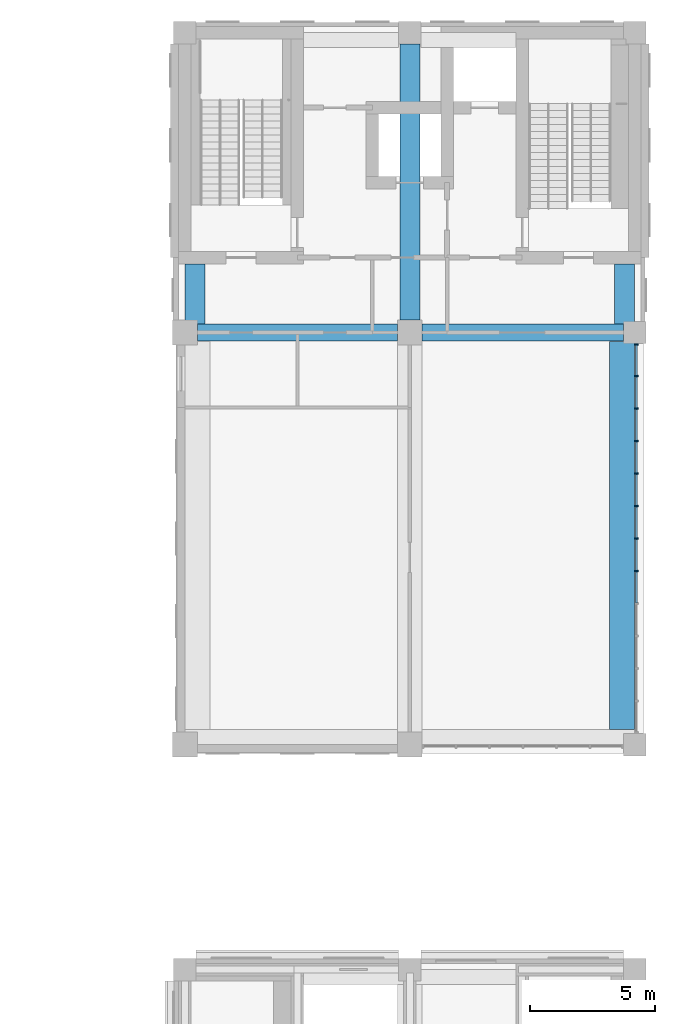
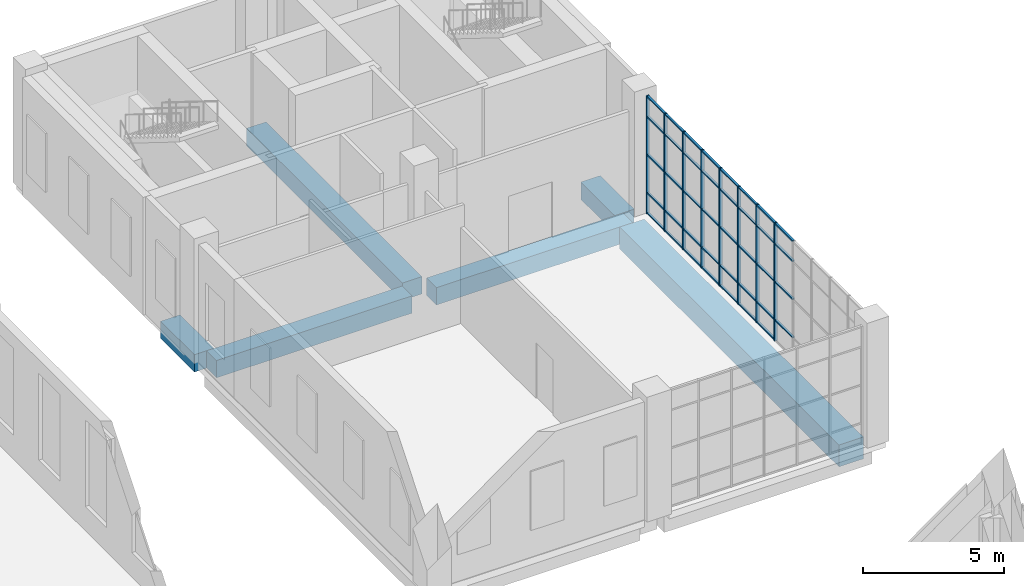
# One storey, part 19 of 52: 47 members, 6 beams, 1 element without a shape of its own.
"""IFC4 building model written with IfcOpenShell, lengths in metres."""

from ifc_helpers import new_model, si_unit, direction, frame, origin, origin_2d, place, context, subcontext, project, spatial, rectangle, extrude, material, layer, layer_set, material_profile, profile_set, type_object, element, aggregate, save


model = new_model("IFC4")

# Units and contexts
model_context = context("Model", 3, precision=1e-05, world=origin(), true_north=direction((0.0, 1.0)))
body_context = subcontext(model_context, "Body", "Model", "MODEL_VIEW")
ifc_project = project(units=[si_unit("LENGTHUNIT", "METRE"), si_unit("AREAUNIT", "SQUARE_METRE"), si_unit("VOLUMEUNIT", "CUBIC_METRE"), si_unit("PLANEANGLEUNIT", "RADIAN"), si_unit("MASSUNIT", "GRAM", prefix="KILO")], contexts=[model_context])

# Site, building, storey
site_placement = place(None, origin())
site = spatial("IfcSite", under=ifc_project, at=site_placement, CompositionType="ELEMENT")
building_placement = place(site_placement, origin())
building = spatial("IfcBuilding", under=site, at=building_placement, Name="Aurelan Courthouse", CompositionType="ELEMENT")
storey_placement = place(building_placement, frame((0.0, 0.0, 6.60009765625)))
storey = spatial("IfcBuildingStorey", under=building, at=storey_placement, Name="L01", CompositionType="ELEMENT", Elevation=6.60009765625)

# Curtain wall, members
ifc_material_1 = material(Name="Bronze-finished aluminium and glass", Category="aluminium")
ifc_layer = layer(ifc_material_1, 0.14990234375)
ifc_layer_set = layer_set([ifc_layer], Name="Bronze-finished aluminium and glass")
curtain_wall_type = type_object("IfcCurtainWallType", Name="Curtain wall 15600 x 5100", PredefinedType="NOTDEFINED", material=ifc_layer_set)
curtain_wall_placement = place(storey_placement, origin())
curtain_wall = element("IfcCurtainWall", 1, at=curtain_wall_placement, inside=storey, type_object=curtain_wall_type, Name="Curtain wall CW-V3-L01-E01", PredefinedType="NOTDEFINED")
ifc_material_2 = material(Name="Bronze-finished aluminium", Category="aluminium")
ifc_material_profile_1 = material_profile(ifc_material_2, rectangle(XDim=0.125, YDim=0.06005859375, at=origin_2d()), Name="Bronze mullion 60 x 125")
ifc_profile_set_1 = profile_set([ifc_material_profile_1], Name="Bronze-finished aluminium")
member_type_1 = type_object("IfcMemberType", Name="Curtain wall mullion 60 x 125", PredefinedType="MULLION", material=ifc_profile_set_1)
member_1_placement = place(storey_placement, frame((90.074951171875, 44.449951171875, 0.0), z_axis=(0.0, 0.0, 1.0), x_axis=(-1.0, 0.0, 0.0)))
member_1 = element("IfcMember", 2, at=member_1_placement, type_object=member_type_1, Name="CW-V3-L01-E01 mullion 6", PredefinedType="MULLION", context=body_context, shape_type="SweptSolid", body=[
    extrude(rectangle(XDim=0.125, YDim=0.06005859375, at=origin_2d()), origin(), (0.0, 0.0, 1.0), 5.099853515625),
])
member_2_placement = place(storey_placement, frame((90.074951171875, 45.75, 0.0), z_axis=(0.0, 0.0, 1.0), x_axis=(-1.0, 0.0, 0.0)))
member_2 = element("IfcMember", 3, at=member_2_placement, type_object=member_type_1, Name="CW-V3-L01-E01 mullion 7", PredefinedType="MULLION", context=body_context, shape_type="SweptSolid", body=[
    extrude(rectangle(XDim=0.125, YDim=0.06005859375, at=origin_2d()), origin(), (0.0, 0.0, 1.0), 5.099853515625),
])
member_3_placement = place(storey_placement, frame((90.074951171875, 47.050048828125, 0.0), z_axis=(0.0, 0.0, 1.0), x_axis=(-1.0, 0.0, 0.0)))
member_3 = element("IfcMember", 4, at=member_3_placement, type_object=member_type_1, Name="CW-V3-L01-E01 mullion 8", PredefinedType="MULLION", context=body_context, shape_type="SweptSolid", body=[
    extrude(rectangle(XDim=0.125, YDim=0.06005859375, at=origin_2d()), origin(), (0.0, 0.0, 1.0), 5.099853515625),
])
member_4_placement = place(storey_placement, frame((90.074951171875, 48.35009765625, 0.0), z_axis=(0.0, 0.0, 1.0), x_axis=(-1.0, 0.0, 0.0)))
member_4 = element("IfcMember", 5, at=member_4_placement, type_object=member_type_1, Name="CW-V3-L01-E01 mullion 9", PredefinedType="MULLION", context=body_context, shape_type="SweptSolid", body=[
    extrude(rectangle(XDim=0.125, YDim=0.06005859375, at=origin_2d()), origin(), (0.0, 0.0, 1.0), 5.099853515625),
])
member_5_placement = place(storey_placement, frame((90.074951171875, 49.64990234375, 0.0), z_axis=(0.0, 0.0, 1.0), x_axis=(-1.0, 0.0, 0.0)))
member_5 = element("IfcMember", 6, at=member_5_placement, type_object=member_type_1, Name="CW-V3-L01-E01 mullion 10", PredefinedType="MULLION", context=body_context, shape_type="SweptSolid", body=[
    extrude(rectangle(XDim=0.125, YDim=0.06005859375, at=origin_2d()), origin(), (0.0, 0.0, 1.0), 5.099853515625),
])
member_6_placement = place(storey_placement, frame((90.074951171875, 50.949951171875, 0.0), z_axis=(0.0, 0.0, 1.0), x_axis=(-1.0, 0.0, 0.0)))
member_6 = element("IfcMember", 7, at=member_6_placement, type_object=member_type_1, Name="CW-V3-L01-E01 mullion 11", PredefinedType="MULLION", context=body_context, shape_type="SweptSolid", body=[
    extrude(rectangle(XDim=0.125, YDim=0.06005859375, at=origin_2d()), origin(), (0.0, 0.0, 1.0), 5.099853515625),
])
member_7_placement = place(storey_placement, frame((90.074951171875, 52.25, 0.0), z_axis=(0.0, 0.0, 1.0), x_axis=(-1.0, 0.0, 0.0)))
member_7 = element("IfcMember", 8, at=member_7_placement, type_object=member_type_1, Name="CW-V3-L01-E01 mullion 12", PredefinedType="MULLION", context=body_context, shape_type="SweptSolid", body=[
    extrude(rectangle(XDim=0.125, YDim=0.06005859375, at=origin_2d()), origin(), (0.0, 0.0, 1.0), 5.099853515625),
])
member_8_placement = place(storey_placement, frame((90.074951171875, 53.52001953125, 0.0), z_axis=(0.0, 0.0, 1.0), x_axis=(-1.0, 0.0, 0.0)))
member_8 = element("IfcMember", 9, at=member_8_placement, type_object=member_type_1, Name="CW-V3-L01-E01 mullion 13", PredefinedType="MULLION", context=body_context, shape_type="SweptSolid", body=[
    extrude(rectangle(XDim=0.125, YDim=0.06005859375, at=origin_2d()), origin(), (0.0, 0.0, 1.0), 5.099853515625),
])
ifc_material_profile_2 = material_profile(ifc_material_2, rectangle(XDim=0.090087890625, YDim=0.06005859375, at=origin_2d()), Name="Bronze transom 60 x 90")
ifc_profile_set_2 = profile_set([ifc_material_profile_2], Name="Bronze-finished aluminium")
member_type_2 = type_object("IfcMemberType", Name="Curtain wall transom 60 x 90", PredefinedType="USERDEFINED", material=ifc_profile_set_2)
member_9_placement = place(storey_placement, frame((90.074951171875, 43.179931640625, 0.89990234375), z_axis=(0.0, 1.0, 0.0), x_axis=(-1.0, 0.0, 0.0)))
member_9 = element("IfcMember", 10, at=member_9_placement, type_object=member_type_2, Name="CW-V3-L01-E01 transom 5.2", ObjectType="TRANSOM", PredefinedType="USERDEFINED", context=body_context, shape_type="SweptSolid", body=[
    extrude(rectangle(XDim=0.090087890625, YDim=0.06005859375, at=origin_2d()), origin(), (0.0, 0.0, 1.0), 1.239990234375),
])
member_10_placement = place(storey_placement, frame((90.074951171875, 43.179931640625, 2.5498046875), z_axis=(0.0, 1.0, 0.0), x_axis=(-1.0, 0.0, 0.0)))
member_10 = element("IfcMember", 11, at=member_10_placement, type_object=member_type_2, Name="CW-V3-L01-E01 transom 5.3", ObjectType="TRANSOM", PredefinedType="USERDEFINED", context=body_context, shape_type="SweptSolid", body=[
    extrude(rectangle(XDim=0.090087890625, YDim=0.06005859375, at=origin_2d()), origin(), (0.0, 0.0, 1.0), 1.239990234375),
])
member_11_placement = place(storey_placement, frame((90.074951171875, 43.179931640625, 4.199951171875), z_axis=(0.0, 1.0, 0.0), x_axis=(-1.0, 0.0, 0.0)))
member_11 = element("IfcMember", 12, at=member_11_placement, type_object=member_type_2, Name="CW-V3-L01-E01 transom 5.4", ObjectType="TRANSOM", PredefinedType="USERDEFINED", context=body_context, shape_type="SweptSolid", body=[
    extrude(rectangle(XDim=0.090087890625, YDim=0.06005859375, at=origin_2d()), origin(), (0.0, 0.0, 1.0), 1.239990234375),
])
member_12_placement = place(storey_placement, frame((90.074951171875, 43.179931640625, 5.06982421875), z_axis=(0.0, 1.0, 0.0), x_axis=(-1.0, 0.0, 0.0)))
member_12 = element("IfcMember", 13, at=member_12_placement, type_object=member_type_2, Name="CW-V3-L01-E01 transom 5.5", ObjectType="TRANSOM", PredefinedType="USERDEFINED", context=body_context, shape_type="SweptSolid", body=[
    extrude(rectangle(XDim=0.090087890625, YDim=0.06005859375, at=origin_2d()), origin(), (0.0, 0.0, 1.0), 1.239990234375),
])
member_13_placement = place(storey_placement, frame((90.074951171875, 44.47998046875, 0.02978515625), z_axis=(0.0, 1.0, 0.0), x_axis=(-1.0, 0.0, 0.0)))
member_13 = element("IfcMember", 14, at=member_13_placement, type_object=member_type_2, Name="CW-V3-L01-E01 transom 6.1", ObjectType="TRANSOM", PredefinedType="USERDEFINED", context=body_context, shape_type="SweptSolid", body=[
    extrude(rectangle(XDim=0.090087890625, YDim=0.06005859375, at=origin_2d()), origin(), (0.0, 0.0, 1.0), 1.239990234375),
])
member_14_placement = place(storey_placement, frame((90.074951171875, 44.47998046875, 0.89990234375), z_axis=(0.0, 1.0, 0.0), x_axis=(-1.0, 0.0, 0.0)))
member_14 = element("IfcMember", 15, at=member_14_placement, type_object=member_type_2, Name="CW-V3-L01-E01 transom 6.2", ObjectType="TRANSOM", PredefinedType="USERDEFINED", context=body_context, shape_type="SweptSolid", body=[
    extrude(rectangle(XDim=0.090087890625, YDim=0.06005859375, at=origin_2d()), origin(), (0.0, 0.0, 1.0), 1.239990234375),
])
member_15_placement = place(storey_placement, frame((90.074951171875, 44.47998046875, 2.5498046875), z_axis=(0.0, 1.0, 0.0), x_axis=(-1.0, 0.0, 0.0)))
member_15 = element("IfcMember", 16, at=member_15_placement, type_object=member_type_2, Name="CW-V3-L01-E01 transom 6.3", ObjectType="TRANSOM", PredefinedType="USERDEFINED", context=body_context, shape_type="SweptSolid", body=[
    extrude(rectangle(XDim=0.090087890625, YDim=0.06005859375, at=origin_2d()), origin(), (0.0, 0.0, 1.0), 1.239990234375),
])
member_16_placement = place(storey_placement, frame((90.074951171875, 44.47998046875, 4.199951171875), z_axis=(0.0, 1.0, 0.0), x_axis=(-1.0, 0.0, 0.0)))
member_16 = element("IfcMember", 17, at=member_16_placement, type_object=member_type_2, Name="CW-V3-L01-E01 transom 6.4", ObjectType="TRANSOM", PredefinedType="USERDEFINED", context=body_context, shape_type="SweptSolid", body=[
    extrude(rectangle(XDim=0.090087890625, YDim=0.06005859375, at=origin_2d()), origin(), (0.0, 0.0, 1.0), 1.239990234375),
])
member_17_placement = place(storey_placement, frame((90.074951171875, 44.47998046875, 5.06982421875), z_axis=(0.0, 1.0, 0.0), x_axis=(-1.0, 0.0, 0.0)))
member_17 = element("IfcMember", 18, at=member_17_placement, type_object=member_type_2, Name="CW-V3-L01-E01 transom 6.5", ObjectType="TRANSOM", PredefinedType="USERDEFINED", context=body_context, shape_type="SweptSolid", body=[
    extrude(rectangle(XDim=0.090087890625, YDim=0.06005859375, at=origin_2d()), origin(), (0.0, 0.0, 1.0), 1.239990234375),
])
member_18_placement = place(storey_placement, frame((90.074951171875, 45.780029296875, 0.02978515625), z_axis=(0.0, 1.0, 0.0), x_axis=(-1.0, 0.0, 0.0)))
member_18 = element("IfcMember", 19, at=member_18_placement, type_object=member_type_2, Name="CW-V3-L01-E01 transom 7.1", ObjectType="TRANSOM", PredefinedType="USERDEFINED", context=body_context, shape_type="SweptSolid", body=[
    extrude(rectangle(XDim=0.090087890625, YDim=0.06005859375, at=origin_2d()), origin(), (0.0, 0.0, 1.0), 1.239990234375),
])
member_19_placement = place(storey_placement, frame((90.074951171875, 45.780029296875, 0.89990234375), z_axis=(0.0, 1.0, 0.0), x_axis=(-1.0, 0.0, 0.0)))
member_19 = element("IfcMember", 20, at=member_19_placement, type_object=member_type_2, Name="CW-V3-L01-E01 transom 7.2", ObjectType="TRANSOM", PredefinedType="USERDEFINED", context=body_context, shape_type="SweptSolid", body=[
    extrude(rectangle(XDim=0.090087890625, YDim=0.06005859375, at=origin_2d()), origin(), (0.0, 0.0, 1.0), 1.239990234375),
])
member_20_placement = place(storey_placement, frame((90.074951171875, 45.780029296875, 2.5498046875), z_axis=(0.0, 1.0, 0.0), x_axis=(-1.0, 0.0, 0.0)))
member_20 = element("IfcMember", 21, at=member_20_placement, type_object=member_type_2, Name="CW-V3-L01-E01 transom 7.3", ObjectType="TRANSOM", PredefinedType="USERDEFINED", context=body_context, shape_type="SweptSolid", body=[
    extrude(rectangle(XDim=0.090087890625, YDim=0.06005859375, at=origin_2d()), origin(), (0.0, 0.0, 1.0), 1.239990234375),
])
member_21_placement = place(storey_placement, frame((90.074951171875, 45.780029296875, 4.199951171875), z_axis=(0.0, 1.0, 0.0), x_axis=(-1.0, 0.0, 0.0)))
member_21 = element("IfcMember", 22, at=member_21_placement, type_object=member_type_2, Name="CW-V3-L01-E01 transom 7.4", ObjectType="TRANSOM", PredefinedType="USERDEFINED", context=body_context, shape_type="SweptSolid", body=[
    extrude(rectangle(XDim=0.090087890625, YDim=0.06005859375, at=origin_2d()), origin(), (0.0, 0.0, 1.0), 1.239990234375),
])
member_22_placement = place(storey_placement, frame((90.074951171875, 45.780029296875, 5.06982421875), z_axis=(0.0, 1.0, 0.0), x_axis=(-1.0, 0.0, 0.0)))
member_22 = element("IfcMember", 23, at=member_22_placement, type_object=member_type_2, Name="CW-V3-L01-E01 transom 7.5", ObjectType="TRANSOM", PredefinedType="USERDEFINED", context=body_context, shape_type="SweptSolid", body=[
    extrude(rectangle(XDim=0.090087890625, YDim=0.06005859375, at=origin_2d()), origin(), (0.0, 0.0, 1.0), 1.239990234375),
])
member_23_placement = place(storey_placement, frame((90.074951171875, 47.080078125, 0.02978515625), z_axis=(0.0, 1.0, 0.0), x_axis=(-1.0, 0.0, 0.0)))
member_23 = element("IfcMember", 24, at=member_23_placement, type_object=member_type_2, Name="CW-V3-L01-E01 transom 8.1", ObjectType="TRANSOM", PredefinedType="USERDEFINED", context=body_context, shape_type="SweptSolid", body=[
    extrude(rectangle(XDim=0.090087890625, YDim=0.06005859375, at=origin_2d()), origin(), (0.0, 0.0, 1.0), 1.239990234375),
])
member_24_placement = place(storey_placement, frame((90.074951171875, 47.080078125, 0.89990234375), z_axis=(0.0, 1.0, 0.0), x_axis=(-1.0, 0.0, 0.0)))
member_24 = element("IfcMember", 25, at=member_24_placement, type_object=member_type_2, Name="CW-V3-L01-E01 transom 8.2", ObjectType="TRANSOM", PredefinedType="USERDEFINED", context=body_context, shape_type="SweptSolid", body=[
    extrude(rectangle(XDim=0.090087890625, YDim=0.06005859375, at=origin_2d()), origin(), (0.0, 0.0, 1.0), 1.239990234375),
])
member_25_placement = place(storey_placement, frame((90.074951171875, 47.080078125, 2.5498046875), z_axis=(0.0, 1.0, 0.0), x_axis=(-1.0, 0.0, 0.0)))
member_25 = element("IfcMember", 26, at=member_25_placement, type_object=member_type_2, Name="CW-V3-L01-E01 transom 8.3", ObjectType="TRANSOM", PredefinedType="USERDEFINED", context=body_context, shape_type="SweptSolid", body=[
    extrude(rectangle(XDim=0.090087890625, YDim=0.06005859375, at=origin_2d()), origin(), (0.0, 0.0, 1.0), 1.239990234375),
])
member_26_placement = place(storey_placement, frame((90.074951171875, 47.080078125, 4.199951171875), z_axis=(0.0, 1.0, 0.0), x_axis=(-1.0, 0.0, 0.0)))
member_26 = element("IfcMember", 27, at=member_26_placement, type_object=member_type_2, Name="CW-V3-L01-E01 transom 8.4", ObjectType="TRANSOM", PredefinedType="USERDEFINED", context=body_context, shape_type="SweptSolid", body=[
    extrude(rectangle(XDim=0.090087890625, YDim=0.06005859375, at=origin_2d()), origin(), (0.0, 0.0, 1.0), 1.239990234375),
])
member_27_placement = place(storey_placement, frame((90.074951171875, 47.080078125, 5.06982421875), z_axis=(0.0, 1.0, 0.0), x_axis=(-1.0, 0.0, 0.0)))
member_27 = element("IfcMember", 28, at=member_27_placement, type_object=member_type_2, Name="CW-V3-L01-E01 transom 8.5", ObjectType="TRANSOM", PredefinedType="USERDEFINED", context=body_context, shape_type="SweptSolid", body=[
    extrude(rectangle(XDim=0.090087890625, YDim=0.06005859375, at=origin_2d()), origin(), (0.0, 0.0, 1.0), 1.239990234375),
])
member_28_placement = place(storey_placement, frame((90.074951171875, 48.3798828125, 0.02978515625), z_axis=(0.0, 1.0, 0.0), x_axis=(-1.0, 0.0, 0.0)))
member_28 = element("IfcMember", 29, at=member_28_placement, type_object=member_type_2, Name="CW-V3-L01-E01 transom 9.1", ObjectType="TRANSOM", PredefinedType="USERDEFINED", context=body_context, shape_type="SweptSolid", body=[
    extrude(rectangle(XDim=0.090087890625, YDim=0.06005859375, at=origin_2d()), origin(), (0.0, 0.0, 1.0), 1.240234375),
])
member_29_placement = place(storey_placement, frame((90.074951171875, 48.3798828125, 0.89990234375), z_axis=(0.0, 1.0, 0.0), x_axis=(-1.0, 0.0, 0.0)))
member_29 = element("IfcMember", 30, at=member_29_placement, type_object=member_type_2, Name="CW-V3-L01-E01 transom 9.2", ObjectType="TRANSOM", PredefinedType="USERDEFINED", context=body_context, shape_type="SweptSolid", body=[
    extrude(rectangle(XDim=0.090087890625, YDim=0.06005859375, at=origin_2d()), origin(), (0.0, 0.0, 1.0), 1.240234375),
])
member_30_placement = place(storey_placement, frame((90.074951171875, 48.3798828125, 2.5498046875), z_axis=(0.0, 1.0, 0.0), x_axis=(-1.0, 0.0, 0.0)))
member_30 = element("IfcMember", 31, at=member_30_placement, type_object=member_type_2, Name="CW-V3-L01-E01 transom 9.3", ObjectType="TRANSOM", PredefinedType="USERDEFINED", context=body_context, shape_type="SweptSolid", body=[
    extrude(rectangle(XDim=0.090087890625, YDim=0.06005859375, at=origin_2d()), origin(), (0.0, 0.0, 1.0), 1.240234375),
])
member_31_placement = place(storey_placement, frame((90.074951171875, 48.3798828125, 4.199951171875), z_axis=(0.0, 1.0, 0.0), x_axis=(-1.0, 0.0, 0.0)))
member_31 = element("IfcMember", 32, at=member_31_placement, type_object=member_type_2, Name="CW-V3-L01-E01 transom 9.4", ObjectType="TRANSOM", PredefinedType="USERDEFINED", context=body_context, shape_type="SweptSolid", body=[
    extrude(rectangle(XDim=0.090087890625, YDim=0.06005859375, at=origin_2d()), origin(), (0.0, 0.0, 1.0), 1.240234375),
])
member_32_placement = place(storey_placement, frame((90.074951171875, 48.3798828125, 5.06982421875), z_axis=(0.0, 1.0, 0.0), x_axis=(-1.0, 0.0, 0.0)))
member_32 = element("IfcMember", 33, at=member_32_placement, type_object=member_type_2, Name="CW-V3-L01-E01 transom 9.5", ObjectType="TRANSOM", PredefinedType="USERDEFINED", context=body_context, shape_type="SweptSolid", body=[
    extrude(rectangle(XDim=0.090087890625, YDim=0.06005859375, at=origin_2d()), origin(), (0.0, 0.0, 1.0), 1.240234375),
])
member_33_placement = place(storey_placement, frame((90.074951171875, 49.679931640625, 0.02978515625), z_axis=(0.0, 1.0, 0.0), x_axis=(-1.0, 0.0, 0.0)))
member_33 = element("IfcMember", 34, at=member_33_placement, type_object=member_type_2, Name="CW-V3-L01-E01 transom 10.1", ObjectType="TRANSOM", PredefinedType="USERDEFINED", context=body_context, shape_type="SweptSolid", body=[
    extrude(rectangle(XDim=0.090087890625, YDim=0.06005859375, at=origin_2d()), origin(), (0.0, 0.0, 1.0), 1.239990234375),
])
member_34_placement = place(storey_placement, frame((90.074951171875, 49.679931640625, 0.89990234375), z_axis=(0.0, 1.0, 0.0), x_axis=(-1.0, 0.0, 0.0)))
member_34 = element("IfcMember", 35, at=member_34_placement, type_object=member_type_2, Name="CW-V3-L01-E01 transom 10.2", ObjectType="TRANSOM", PredefinedType="USERDEFINED", context=body_context, shape_type="SweptSolid", body=[
    extrude(rectangle(XDim=0.090087890625, YDim=0.06005859375, at=origin_2d()), origin(), (0.0, 0.0, 1.0), 1.239990234375),
])
member_35_placement = place(storey_placement, frame((90.074951171875, 49.679931640625, 2.5498046875), z_axis=(0.0, 1.0, 0.0), x_axis=(-1.0, 0.0, 0.0)))
member_35 = element("IfcMember", 36, at=member_35_placement, type_object=member_type_2, Name="CW-V3-L01-E01 transom 10.3", ObjectType="TRANSOM", PredefinedType="USERDEFINED", context=body_context, shape_type="SweptSolid", body=[
    extrude(rectangle(XDim=0.090087890625, YDim=0.06005859375, at=origin_2d()), origin(), (0.0, 0.0, 1.0), 1.239990234375),
])
member_36_placement = place(storey_placement, frame((90.074951171875, 49.679931640625, 4.199951171875), z_axis=(0.0, 1.0, 0.0), x_axis=(-1.0, 0.0, 0.0)))
member_36 = element("IfcMember", 37, at=member_36_placement, type_object=member_type_2, Name="CW-V3-L01-E01 transom 10.4", ObjectType="TRANSOM", PredefinedType="USERDEFINED", context=body_context, shape_type="SweptSolid", body=[
    extrude(rectangle(XDim=0.090087890625, YDim=0.06005859375, at=origin_2d()), origin(), (0.0, 0.0, 1.0), 1.239990234375),
])
member_37_placement = place(storey_placement, frame((90.074951171875, 49.679931640625, 5.06982421875), z_axis=(0.0, 1.0, 0.0), x_axis=(-1.0, 0.0, 0.0)))
member_37 = element("IfcMember", 38, at=member_37_placement, type_object=member_type_2, Name="CW-V3-L01-E01 transom 10.5", ObjectType="TRANSOM", PredefinedType="USERDEFINED", context=body_context, shape_type="SweptSolid", body=[
    extrude(rectangle(XDim=0.090087890625, YDim=0.06005859375, at=origin_2d()), origin(), (0.0, 0.0, 1.0), 1.239990234375),
])
member_38_placement = place(storey_placement, frame((90.074951171875, 50.97998046875, 0.02978515625), z_axis=(0.0, 1.0, 0.0), x_axis=(-1.0, 0.0, 0.0)))
member_38 = element("IfcMember", 39, at=member_38_placement, type_object=member_type_2, Name="CW-V3-L01-E01 transom 11.1", ObjectType="TRANSOM", PredefinedType="USERDEFINED", context=body_context, shape_type="SweptSolid", body=[
    extrude(rectangle(XDim=0.090087890625, YDim=0.06005859375, at=origin_2d()), origin(), (0.0, 0.0, 1.0), 1.239990234375),
])
member_39_placement = place(storey_placement, frame((90.074951171875, 50.97998046875, 0.89990234375), z_axis=(0.0, 1.0, 0.0), x_axis=(-1.0, 0.0, 0.0)))
member_39 = element("IfcMember", 40, at=member_39_placement, type_object=member_type_2, Name="CW-V3-L01-E01 transom 11.2", ObjectType="TRANSOM", PredefinedType="USERDEFINED", context=body_context, shape_type="SweptSolid", body=[
    extrude(rectangle(XDim=0.090087890625, YDim=0.06005859375, at=origin_2d()), origin(), (0.0, 0.0, 1.0), 1.239990234375),
])
member_40_placement = place(storey_placement, frame((90.074951171875, 50.97998046875, 2.5498046875), z_axis=(0.0, 1.0, 0.0), x_axis=(-1.0, 0.0, 0.0)))
member_40 = element("IfcMember", 41, at=member_40_placement, type_object=member_type_2, Name="CW-V3-L01-E01 transom 11.3", ObjectType="TRANSOM", PredefinedType="USERDEFINED", context=body_context, shape_type="SweptSolid", body=[
    extrude(rectangle(XDim=0.090087890625, YDim=0.06005859375, at=origin_2d()), origin(), (0.0, 0.0, 1.0), 1.239990234375),
])
member_41_placement = place(storey_placement, frame((90.074951171875, 50.97998046875, 4.199951171875), z_axis=(0.0, 1.0, 0.0), x_axis=(-1.0, 0.0, 0.0)))
member_41 = element("IfcMember", 42, at=member_41_placement, type_object=member_type_2, Name="CW-V3-L01-E01 transom 11.4", ObjectType="TRANSOM", PredefinedType="USERDEFINED", context=body_context, shape_type="SweptSolid", body=[
    extrude(rectangle(XDim=0.090087890625, YDim=0.06005859375, at=origin_2d()), origin(), (0.0, 0.0, 1.0), 1.239990234375),
])
member_42_placement = place(storey_placement, frame((90.074951171875, 50.97998046875, 5.06982421875), z_axis=(0.0, 1.0, 0.0), x_axis=(-1.0, 0.0, 0.0)))
member_42 = element("IfcMember", 43, at=member_42_placement, type_object=member_type_2, Name="CW-V3-L01-E01 transom 11.5", ObjectType="TRANSOM", PredefinedType="USERDEFINED", context=body_context, shape_type="SweptSolid", body=[
    extrude(rectangle(XDim=0.090087890625, YDim=0.06005859375, at=origin_2d()), origin(), (0.0, 0.0, 1.0), 1.239990234375),
])
member_43_placement = place(storey_placement, frame((90.074951171875, 52.280029296875, 0.02978515625), z_axis=(0.0, 1.0, 0.0), x_axis=(-1.0, 0.0, 0.0)))
member_43 = element("IfcMember", 44, at=member_43_placement, type_object=member_type_2, Name="CW-V3-L01-E01 transom 12.1", ObjectType="TRANSOM", PredefinedType="USERDEFINED", context=body_context, shape_type="SweptSolid", body=[
    extrude(rectangle(XDim=0.090087890625, YDim=0.06005859375, at=origin_2d()), origin(), (0.0, 0.0, 1.0), 1.2099609375),
])
member_44_placement = place(storey_placement, frame((90.074951171875, 52.280029296875, 0.89990234375), z_axis=(0.0, 1.0, 0.0), x_axis=(-1.0, 0.0, 0.0)))
member_44 = element("IfcMember", 45, at=member_44_placement, type_object=member_type_2, Name="CW-V3-L01-E01 transom 12.2", ObjectType="TRANSOM", PredefinedType="USERDEFINED", context=body_context, shape_type="SweptSolid", body=[
    extrude(rectangle(XDim=0.090087890625, YDim=0.06005859375, at=origin_2d()), origin(), (0.0, 0.0, 1.0), 1.2099609375),
])
member_45_placement = place(storey_placement, frame((90.074951171875, 52.280029296875, 2.5498046875), z_axis=(0.0, 1.0, 0.0), x_axis=(-1.0, 0.0, 0.0)))
member_45 = element("IfcMember", 46, at=member_45_placement, type_object=member_type_2, Name="CW-V3-L01-E01 transom 12.3", ObjectType="TRANSOM", PredefinedType="USERDEFINED", context=body_context, shape_type="SweptSolid", body=[
    extrude(rectangle(XDim=0.090087890625, YDim=0.06005859375, at=origin_2d()), origin(), (0.0, 0.0, 1.0), 1.2099609375),
])
member_46_placement = place(storey_placement, frame((90.074951171875, 52.280029296875, 4.199951171875), z_axis=(0.0, 1.0, 0.0), x_axis=(-1.0, 0.0, 0.0)))
member_46 = element("IfcMember", 47, at=member_46_placement, type_object=member_type_2, Name="CW-V3-L01-E01 transom 12.4", ObjectType="TRANSOM", PredefinedType="USERDEFINED", context=body_context, shape_type="SweptSolid", body=[
    extrude(rectangle(XDim=0.090087890625, YDim=0.06005859375, at=origin_2d()), origin(), (0.0, 0.0, 1.0), 1.2099609375),
])
member_47_placement = place(storey_placement, frame((90.074951171875, 52.280029296875, 5.06982421875), z_axis=(0.0, 1.0, 0.0), x_axis=(-1.0, 0.0, 0.0)))
member_47 = element("IfcMember", 48, at=member_47_placement, type_object=member_type_2, Name="CW-V3-L01-E01 transom 12.5", ObjectType="TRANSOM", PredefinedType="USERDEFINED", context=body_context, shape_type="SweptSolid", body=[
    extrude(rectangle(XDim=0.090087890625, YDim=0.06005859375, at=origin_2d()), origin(), (0.0, 0.0, 1.0), 1.2099609375),
])
aggregate(curtain_wall, [member_1, member_2, member_3, member_4, member_5, member_6, member_7, member_8, member_9, member_10, member_11, member_12, member_13, member_14, member_15, member_16, member_17, member_18, member_19, member_20, member_21, member_22, member_23, member_24, member_25, member_26, member_27, member_28, member_29, member_30, member_31, member_32, member_33, member_34, member_35, member_36, member_37, member_38, member_39, member_40, member_41, member_42, member_43, member_44, member_45, member_46, member_47])

# Beams
ifc_material_3 = material(Name="Concrete C50", Category="concrete")
ifc_material_profile_3 = material_profile(ifc_material_3, rectangle(XDim=0.699951171875, YDim=0.75, at=origin_2d()), Name="RC 700 x 750")
ifc_profile_set_3 = profile_set([ifc_material_profile_3], Name="Concrete C50")
beam_type_1 = type_object("IfcBeamType", Name="PT beam 700 x 750", PredefinedType="BEAM", material=ifc_profile_set_3)
beam_1_placement = place(storey_placement, frame((72.5, 54.0, -0.675048828125), z_axis=(1.0, 0.0, 0.0), x_axis=(0.0, 1.0, 0.0)))
element("IfcBeam", 49, at=beam_1_placement, inside=storey, type_object=beam_type_1, Name="Beam EB-E-9-10", PredefinedType="BEAM", context=body_context, shape_type="SweptSolid", body=[
    extrude(rectangle(XDim=0.699951171875, YDim=0.75, at=origin_2d()), origin(), (0.0, 0.0, 1.0), 8.0),
])
beam_2_placement = place(storey_placement, frame((81.5, 54.0, -0.675048828125), z_axis=(1.0, 0.0, 0.0), x_axis=(0.0, 1.0, 0.0)))
element("IfcBeam", 50, at=beam_2_placement, inside=storey, type_object=beam_type_1, Name="Beam EB-E-10-11", PredefinedType="BEAM", context=body_context, shape_type="SweptSolid", body=[
    extrude(rectangle(XDim=0.699951171875, YDim=0.75, at=origin_2d()), origin(), (0.0, 0.0, 1.0), 8.050048828125),
])
ifc_material_profile_4 = material_profile(ifc_material_3, rectangle(XDim=1.0, YDim=0.949951171875, at=origin_2d()), Name="RC 1000 x 950")
ifc_profile_set_4 = profile_set([ifc_material_profile_4], Name="Concrete C50")
beam_type_2 = type_object("IfcBeamType", Name="PT girder 1000 x 950", PredefinedType="BEAM", material=ifc_profile_set_4)
beam_3_placement = place(storey_placement, frame((89.5, 38.10009765625, -0.775146484375), z_axis=(0.0, 1.0, 0.0), x_axis=(-1.0, 0.0, 0.0)))
element("IfcBeam", 51, at=beam_3_placement, inside=storey, type_object=beam_type_2, Name="Girder GB-11DE-E", PredefinedType="BEAM", context=body_context, shape_type="SweptSolid", body=[
    extrude(rectangle(XDim=1.0, YDim=0.949951171875, at=origin_2d()), origin(), (0.0, 0.0, 1.0), 15.5498046875),
])
ifc_material_profile_5 = material_profile(ifc_material_3, rectangle(XDim=0.800048828125, YDim=0.75, at=origin_2d()), Name="RC 800 x 750")
ifc_profile_set_5 = profile_set([ifc_material_profile_5], Name="Concrete C50")
beam_type_3 = type_object("IfcBeamType", Name="PT girder 800 x 750", PredefinedType="BEAM", material=ifc_profile_set_5)
beam_4_placement = place(storey_placement, frame((72.39990234375, 54.35009765625, -0.675048828125), z_axis=(0.0, 1.0, 0.0), x_axis=(-1.0, 0.0, 0.0)))
element("IfcBeam", 52, at=beam_4_placement, inside=storey, type_object=beam_type_3, Name="Girder GB-9EF-E", PredefinedType="BEAM", context=body_context, shape_type="SweptSolid", body=[
    extrude(rectangle(XDim=0.800048828125, YDim=0.75, at=origin_2d()), origin(), (0.0, 0.0, 1.0), 2.39990234375),
])
beam_5_placement = place(storey_placement, frame((81.0, 54.5, -0.675048828125), z_axis=(0.0, 1.0, 0.0), x_axis=(-1.0, 0.0, 0.0)))
element("IfcBeam", 53, at=beam_5_placement, inside=storey, type_object=beam_type_3, Name="Girder GB-10EF", PredefinedType="BEAM", context=body_context, shape_type="SweptSolid", body=[
    extrude(rectangle(XDim=0.800048828125, YDim=0.75, at=origin_2d()), origin(), (0.0, 0.0, 1.0), 11.050048828125),
])
beam_6_placement = place(storey_placement, frame((89.60009765625, 54.35009765625, -0.675048828125), z_axis=(0.0, 1.0, 0.0), x_axis=(-1.0, 0.0, 0.0)))
element("IfcBeam", 54, at=beam_6_placement, inside=storey, type_object=beam_type_3, Name="Girder GB-11EF-E", PredefinedType="BEAM", context=body_context, shape_type="SweptSolid", body=[
    extrude(rectangle(XDim=0.800048828125, YDim=0.75, at=origin_2d()), origin(), (0.0, 0.0, 1.0), 2.39990234375),
])

save(model, "model.ifc")
